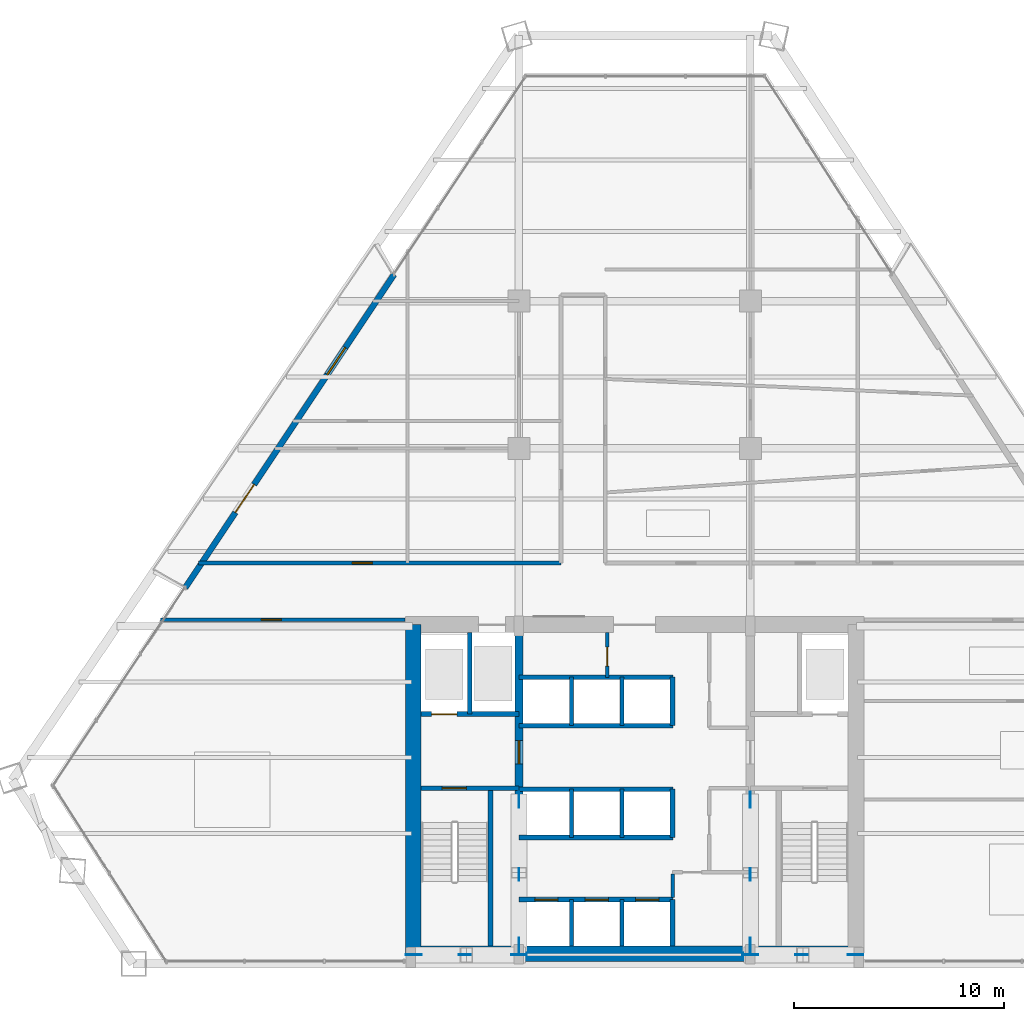
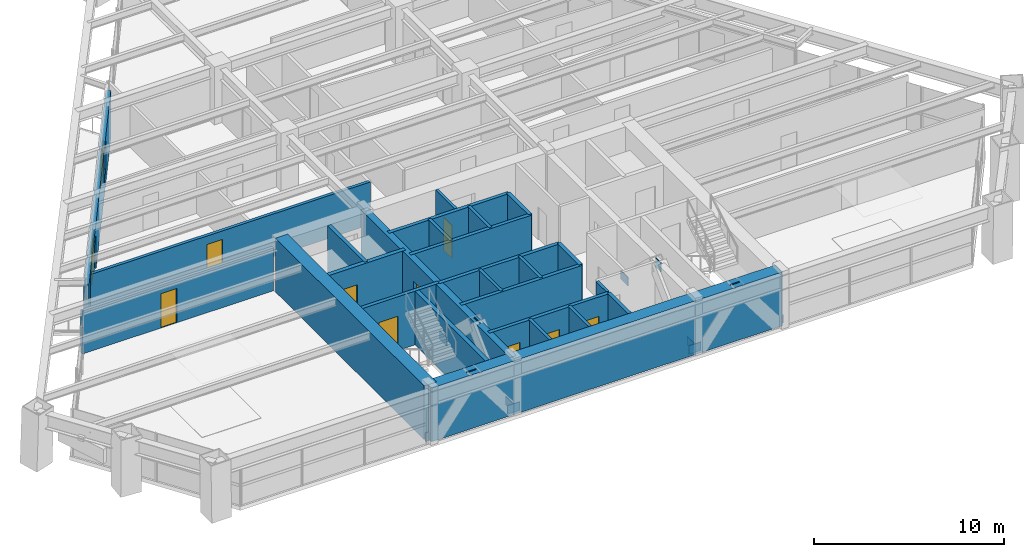
# One storey, part 10 of 15: 26 walls, 12 plates, 10 doors, 1 window, 11 openings.
"""IFC4 building model written with IfcOpenShell, lengths in metres."""

from ifc_helpers import new_model, si_unit, direction, frame, frame_2d, origin, origin_2d, place, context, subcontext, project, spatial, rectangle, extrude, source, transform, mapped, material, layer, layer_set, type_object, type_shapes, element, fill, save


model = new_model("IFC4")

# Units and contexts
model_context = context("Model", 3, precision=1e-05, world=origin(), true_north=direction((0.0, 1.0)))
body_context = subcontext(model_context, "Body", "Model", "MODEL_VIEW")
ifc_project = project(units=[si_unit("LENGTHUNIT", "METRE"), si_unit("AREAUNIT", "SQUARE_METRE"), si_unit("VOLUMEUNIT", "CUBIC_METRE"), si_unit("PLANEANGLEUNIT", "RADIAN"), si_unit("MASSUNIT", "GRAM", prefix="KILO")], contexts=[model_context])

# Site, building, storey
site_placement = place(None, origin())
site = spatial("IfcSite", under=ifc_project, at=site_placement, CompositionType="ELEMENT")
building_placement = place(site_placement, origin())
building = spatial("IfcBuilding", under=site, at=building_placement, Name="Varnakhor Terracotta Tower", CompositionType="ELEMENT")
storey_placement = place(building_placement, frame((0.0, 0.0, 109.89990234375)))
storey = spatial("IfcBuildingStorey", under=building, at=storey_placement, Name="L27", CompositionType="ELEMENT", Elevation=109.89990234375)

# Plates
ifc_material_1 = material(Name="Steel S460", Category="steel")
ifc_layer_1 = layer(ifc_material_1, 0.050048828125, Name="Steel S460")
ifc_layer_set_1 = layer_set([ifc_layer_1], Name="Steel S460")
plate_type = type_object("IfcPlateType", Name="PLT-GUSSET-50", PredefinedType="USERDEFINED", material=ifc_layer_set_1)
shared_shape_1 = source(origin(), body_context, "Body", "SweptSolid", [
    extrude(rectangle(XDim=0.75, YDim=0.0400390625, at=origin_2d()), origin(), (0.0, 0.0, 1.0), 0.550048828125),
])
type_shapes(plate_type, [shared_shape_1])
for number, where, z_axis, x_axis, name in (
    (1, (-10.5, 0.419921875, -0.0947265625), (0.0, 0.0, 1.0), (1.0, 0.0, 0.0), "L27 Core Brace Embed Plate CSWA"),
    (2, (-5.5, 0.419921875, -0.0947265625), (0.0, 0.0, 1.0), (1.0, 0.0, 0.0), "L27 Core Brace Embed Plate CSWB"),
    (3, (5.5, 0.419921875, -0.0947265625), (0.0, 0.0, 1.0), (1.0, 0.0, 0.0), "L27 Core Brace Embed Plate CSEA"),
    (4, (10.5, 0.419921875, -0.0947265625), (0.0, 0.0, 1.0), (1.0, 0.0, 0.0), "L27 Core Brace Embed Plate CSEB"),
    (5, (-5.5, 0.85009765625, -0.0947265625), (0.0, 0.0, 1.0), (0.0, 1.0, 0.0), "L27 Core Brace Embed Plate CWWA"),
    (6, (-5.5, 7.800048828125, -0.0947265625), (0.0, 0.0, 1.0), (0.0, 1.0, 0.0), "L27 Core Brace Embed Plate CWWB"),
    (7, (5.5, 0.85009765625, -0.0947265625), (0.0, 0.0, 1.0), (0.0, 1.0, 0.0), "L27 Core Brace Embed Plate CWEA"),
    (8, (5.5, 7.800048828125, -0.0947265625), (0.0, 0.0, 1.0), (0.0, 1.0, 0.0), "L27 Core Brace Embed Plate CWEB"),
):
    element("IfcPlate", number, at=place(storey_placement, frame(where, z_axis=z_axis, x_axis=x_axis)), inside=storey, type_object=plate_type, Name=name, ObjectType="GUSSET PLATE", PredefinedType="USERDEFINED", context=body_context, shape_type="MappedRepresentation", body=[
        mapped(shared_shape_1, transform((0.0, 0.0, 0.0), scale=1.0)),
    ])
shared_shape_2 = source(origin(), body_context, "Body", "SweptSolid", [
    extrude(rectangle(XDim=0.580078125, YDim=0.0400390625, at=origin_2d()), origin(), (0.0, 0.0, 1.0), 0.580078125),
])
for number, where, z_axis, x_axis, name in (
    (9, (-8.072509765625, 0.419921875, 2.914306640625), (0.0, 0.0, 1.0), (1.0, 0.0, 0.0), "L27 Brace End Connection Plate 104"),
    (10, (7.927490234375, 0.419921875, 2.914306640625), (0.0, 0.0, 1.0), (1.0, 0.0, 0.0), "L27 Brace End Connection Plate 105"),
    (11, (-5.5, 4.238037109375, 2.927490234375), (0.0, 0.0, 1.0), (0.0, 1.0, 0.0), "L27 Brace End Connection Plate 106"),
    (12, (5.5, 4.238037109375, 2.927490234375), (0.0, 0.0, 1.0), (0.0, 1.0, 0.0), "L27 Brace End Connection Plate 107"),
):
    element("IfcPlate", number, at=place(storey_placement, frame(where, z_axis=z_axis, x_axis=x_axis)), inside=storey, type_object=plate_type, Name=name, ObjectType="GUSSET PLATE", PredefinedType="USERDEFINED", context=body_context, shape_type="MappedRepresentation", body=[
        mapped(shared_shape_2, transform((0.0, 0.0, 0.0), scale=1.0)),
    ])

# Walls
ifc_material_2 = material(Name="Concrete C60/75", Category="concrete")
ifc_layer_2 = layer(ifc_material_2, 0.75, Name="Concrete C60/75")
ifc_layer_set_2 = layer_set([ifc_layer_2], Name="Concrete C60/75")
wall_type_1 = type_object("IfcWallType", Name="WAL-CORE-750", PredefinedType="SHEAR", material=ifc_layer_set_2)
wall_1_placement = place(storey_placement, frame((-10.64990234375, 0.47509765625, 0.0), z_axis=(0.0, 0.0, 1.0), x_axis=(1.0, 0.0, 0.0)))
element("IfcWall", 13, at=wall_1_placement, inside=storey, type_object=wall_type_1, Name="L27 South Core Shear Wall", PredefinedType="SHEAR", context=body_context, shape_type="SweptSolid", body=[
    extrude(rectangle(XDim=21.2998046875, YDim=0.75, at=frame_2d((10.64990234375, 0.0))), origin(), (0.0, 0.0, 1.0), 3.4501953125),
])
wall_2_placement = place(storey_placement, frame((-10.52490234375, 0.47509765625, 0.0), z_axis=(0.0, 0.0, 1.0), x_axis=(0.0, 1.0, 0.0)))
element("IfcWall", 14, at=wall_2_placement, inside=storey, type_object=wall_type_1, Name="L27 West Core Shear Wall", PredefinedType="SHEAR", context=body_context, shape_type="SweptSolid", body=[
    extrude(rectangle(XDim=15.64990234375, YDim=0.75, at=frame_2d((7.824951171875, 0.0))), origin(), (0.0, 0.0, 1.0), 3.4501953125),
])

# Wall, opening, door
ifc_material_3 = material(Name="Concrete C50/60", Category="concrete")
ifc_layer_3 = layer(ifc_material_3, 0.39990234375, Name="Concrete C50/60")
ifc_layer_set_3 = layer_set([ifc_layer_3], Name="Concrete C50/60")
wall_type_2 = type_object("IfcWallType", Name="WAL-CORE-WEB-400", PredefinedType="SHEAR", material=ifc_layer_set_3)
wall_3_placement = place(storey_placement, frame((-5.5, 0.47509765625, 0.0), z_axis=(0.0, 0.0, 1.0), x_axis=(0.0, 1.0, 0.0)))
wall_3 = element("IfcWall", 15, at=wall_3_placement, inside=storey, type_object=wall_type_2, Name="L27 West Core Web Shear Wall", PredefinedType="SHEAR", context=body_context, shape_type="SweptSolid", body=[
    extrude(rectangle(XDim=15.64990234375, YDim=0.39990234375, at=frame_2d((7.824951171875, 0.0))), origin(), (0.0, 0.0, 1.0), 3.4501953125),
])
opening_1_placement = place(wall_3_placement, frame((9.02490234375, 0.0, 0.0)))
opening_1 = element("IfcOpeningElement", 16, at=opening_1_placement, cuts=wall_3, Name="Opening DR-25", PredefinedType="OPENING", context=body_context, shape_type="SweptSolid", body=[
    extrude(rectangle(XDim=1.10009765625, YDim=2.199951171875, at=frame_2d((0.550048828125, 1.10009765625))), frame((0.0, 0.2099609375, 0.0), z_axis=(0.0, -1.0, 0.0), x_axis=(1.0, 0.0, 0.0)), (0.0, 0.0, 1.0), 0.419921875),
])
ifc_material_4 = material(Name="Firefighting Lobby Self-Closing Fire Door", Category="steel")
door_type_1 = type_object("IfcDoorType", Name="DR-FFL-1100X2200", OperationType="NOTDEFINED", PredefinedType="DOOR", material=ifc_material_4)
shared_shape_3 = source(origin(), body_context, "Body", "SweptSolid", [
    extrude(rectangle(XDim=1.10009765625, YDim=2.199951171875, at=frame_2d((0.550048828125, 1.10009765625))), frame((0.0, 0.02490234375, 0.0), z_axis=(0.0, -1.0, 0.0), x_axis=(1.0, 0.0, 0.0)), (0.0, 0.0, 1.0), 0.050048828125),
])
type_shapes(door_type_1, [shared_shape_3])
door_1_placement = place(opening_1_placement, origin())
door_1 = element("IfcDoor", 17, at=door_1_placement, inside=storey, type_object=door_type_1, Name="L27 West Firefighting Lobby Door", OperationType="SINGLE_SWING_LEFT", OverallHeight=2.199951171875, OverallWidth=1.10009765625, PredefinedType="DOOR", context=body_context, shape_type="MappedRepresentation", body=[
    mapped(shared_shape_3, transform((0.0, 0.0, 0.0), scale=1.0)),
])
fill(opening_1, door_1)

ifc_material_5 = material(Name="Fire-Rated Gypsum Stud Partition", Category="gypsum")
ifc_layer_4 = layer(ifc_material_5, 0.18505859375, Name="Fire-Rated Gypsum Stud Partition")
ifc_layer_set_4 = layer_set([ifc_layer_4], Name="Fire-Rated Gypsum Stud Partition")
wall_type_3 = type_object("IfcWallType", Name="WAL-CORR-185", PredefinedType="PARTITIONING", material=ifc_layer_set_4)
wall_4_placement = place(storey_placement, frame((-22.538330078125, 16.35009765625, 0.0), z_axis=(0.0, 0.0, 1.0), x_axis=(1.0, 0.0, 0.0)))
wall_4 = element("IfcWall", 18, at=wall_4_placement, inside=storey, type_object=wall_type_3, Name="L27 South West Corridor Wall", PredefinedType="PARTITIONING", context=body_context, shape_type="SweptSolid", body=[
    extrude(rectangle(XDim=11.618408203125, YDim=0.18505859375, at=frame_2d((5.80908203125, 0.0))), origin(), (0.0, 0.0, 1.0), 2.7470703125),
])
opening_2_placement = place(wall_4_placement, frame((4.787109375, 0.0, 0.0)))
opening_2 = element("IfcOpeningElement", 19, at=opening_2_placement, cuts=wall_4, Name="Opening DR-94", PredefinedType="OPENING", context=body_context, shape_type="SweptSolid", body=[
    extrude(rectangle(XDim=0.949951171875, YDim=2.199951171875, at=frame_2d((0.47509765625, 1.10009765625))), frame((0.0, 0.1025390625, 0.0), z_axis=(0.0, -1.0, 0.0), x_axis=(1.0, 0.0, 0.0)), (0.0, 0.0, 1.0), 0.205078125),
])
ifc_material_6 = material(Name="Acoustic Glazed-Vision Timber Office Door", Category="wood")
door_type_2 = type_object("IfcDoorType", Name="DR-OFF-950X2200", OperationType="NOTDEFINED", PredefinedType="DOOR", material=ifc_material_6)
shared_shape_4 = source(origin(), body_context, "Body", "SweptSolid", [
    extrude(rectangle(XDim=0.949951171875, YDim=2.199951171875, at=frame_2d((0.47509765625, 1.10009765625))), frame((0.0, 0.02490234375, 0.0), z_axis=(0.0, -1.0, 0.0), x_axis=(1.0, 0.0, 0.0)), (0.0, 0.0, 1.0), 0.050048828125),
])
type_shapes(door_type_2, [shared_shape_4])
door_2_placement = place(opening_2_placement, origin())
door_2 = element("IfcDoor", 20, at=door_2_placement, inside=storey, type_object=door_type_2, Name="L27 SW Suite Door", OperationType="SINGLE_SWING_RIGHT", OverallHeight=2.199951171875, OverallWidth=0.949951171875, PredefinedType="DOOR", context=body_context, shape_type="MappedRepresentation", body=[
    mapped(shared_shape_4, transform((0.0, 0.0, 0.0), scale=1.0)),
])
fill(opening_2, door_2)

wall_5_placement = place(storey_placement, frame((-20.73779296875, 19.050048828125, 0.0), z_axis=(0.0, 0.0, 1.0), x_axis=(1.0, 0.0, 0.0)))
wall_5 = element("IfcWall", 21, at=wall_5_placement, inside=storey, type_object=wall_type_3, Name="L27 Corridor North West Wall", PredefinedType="PARTITIONING", context=body_context, shape_type="SweptSolid", body=[
    extrude(rectangle(XDim=17.23779296875, YDim=0.18505859375, at=frame_2d((8.618896484375, 0.0))), origin(), (0.0, 0.0, 1.0), 2.7470703125),
])
opening_3_placement = place(wall_5_placement, frame((7.316162109375, 0.0, 0.0)))
opening_3 = element("IfcOpeningElement", 22, at=opening_3_placement, cuts=wall_5, Name="Opening DR-94", PredefinedType="OPENING", context=body_context, shape_type="SweptSolid", body=[
    extrude(rectangle(XDim=0.949951171875, YDim=2.199951171875, at=frame_2d((0.47509765625, 1.10009765625))), frame((0.0, 0.1025390625, 0.0), z_axis=(0.0, -1.0, 0.0), x_axis=(1.0, 0.0, 0.0)), (0.0, 0.0, 1.0), 0.205078125),
])
door_3_placement = place(opening_3_placement, origin())
door_3 = element("IfcDoor", 23, at=door_3_placement, inside=storey, type_object=door_type_2, Name="L27 West Workplace Door", OperationType="SINGLE_SWING_RIGHT", OverallHeight=2.199951171875, OverallWidth=0.949951171875, PredefinedType="DOOR", context=body_context, shape_type="MappedRepresentation", body=[
    mapped(shared_shape_4, transform((0.0, 0.0, 0.0), scale=1.0)),
])
fill(opening_3, door_3)

# Wall, openings, door, window
ifc_material_7 = material(Name="Extruded Architectural Terracotta Assembly", Category="masonry")
ifc_layer_5 = layer(ifc_material_7, 0.280029296875, Name="Extruded Architectural Terracotta Assembly")
ifc_layer_set_5 = layer_set([ifc_layer_5], Name="Extruded Architectural Terracotta Assembly")
wall_type_4 = type_object("IfcWallType", Name="WAL-EXT-TERRACOTTA-280", PredefinedType="SOLIDWALL", material=ifc_layer_set_5)
wall_6_placement = place(storey_placement, frame((-21.36279296875, 17.878662109375, 0.0), z_axis=(0.0, 0.0, 1.0), x_axis=(0.554797817256, 0.831985205378, 0.0)))
wall_6 = element("IfcWall", 24, at=wall_6_placement, inside=storey, type_object=wall_type_4, Name="L27 W Loggia Insulated Terracotta Wall", PredefinedType="SOLIDWALL", context=body_context, shape_type="SweptSolid", body=[
    extrude(rectangle(XDim=17.890380859375, YDim=0.280029296875, at=frame_2d((8.9453125, 0.0))), origin(), (0.0, 0.0, 1.0), 3.030029296875),
])
opening_4_placement = place(wall_6_placement, frame((4.293701171875, 0.0, 0.0)))
opening_4 = element("IfcOpeningElement", 25, at=opening_4_placement, cuts=wall_6, Name="Opening DR-62", PredefinedType="OPENING", context=body_context, shape_type="SweptSolid", body=[
    extrude(rectangle(XDim=1.60009765625, YDim=2.35009765625, at=frame_2d((0.800048828125, 1.175048828125))), frame((0.0, 0.14990234375, 0.0), z_axis=(0.0, -1.0, 0.0), x_axis=(1.0, 0.0, 0.0)), (0.0, 0.0, 1.0), 0.300048828125),
])
opening_5_placement = place(wall_6_placement, frame((12.165283203125, 0.0, 0.89990234375)))
opening_5 = element("IfcOpeningElement", 26, at=opening_5_placement, cuts=wall_6, Name="Opening WN-57", PredefinedType="OPENING", context=body_context, shape_type="SweptSolid", body=[
    extrude(rectangle(XDim=1.550048828125, YDim=1.85009765625, at=frame_2d((0.77490234375, 0.925048828125))), frame((0.0, 0.14990234375, 0.0), z_axis=(0.0, -1.0, 0.0), x_axis=(1.0, 0.0, 0.0)), (0.0, 0.0, 1.0), 0.300048828125),
])
ifc_material_8 = material(Name="Thermally Broken Sliding Glass Loggia Door", Category="glass")
door_type_3 = type_object("IfcDoorType", Name="DR-EXT-LOGGIA-1600X2350", OperationType="NOTDEFINED", PredefinedType="DOOR", material=ifc_material_8)
shared_shape_5 = source(origin(), body_context, "Body", "SweptSolid", [
    extrude(rectangle(XDim=1.60009765625, YDim=2.35009765625, at=frame_2d((0.800048828125, 1.175048828125))), frame((0.0, 0.02490234375, 0.0), z_axis=(0.0, -1.0, 0.0), x_axis=(1.0, 0.0, 0.0)), (0.0, 0.0, 1.0), 0.050048828125),
])
type_shapes(door_type_3, [shared_shape_5])
door_4_placement = place(opening_4_placement, origin())
door_4 = element("IfcDoor", 27, at=door_4_placement, inside=storey, type_object=door_type_3, Name="L27 W Recessed Loggia Sliding Door", OperationType="SLIDING_TO_LEFT", OverallHeight=2.35009765625, OverallWidth=1.60009765625, PredefinedType="DOOR", context=body_context, shape_type="MappedRepresentation", body=[
    mapped(shared_shape_5, transform((0.0, 0.0, 0.0), scale=1.0)),
])
fill(opening_4, door_4)
ifc_material_9 = material(Name="Solar-Control Low-E Insulated Glass Unit", Category="glass")
window_type = type_object("IfcWindowType", Name="WIN-OFF-1650X2100", PartitioningType="SINGLE_PANEL", PredefinedType="WINDOW", material=ifc_material_9)
shared_shape_6 = source(origin(), body_context, "Body", "SweptSolid", [
    extrude(rectangle(XDim=1.550048828125, YDim=1.85009765625, at=frame_2d((0.77490234375, 0.925048828125))), frame((0.0, 0.030029296875, 0.0), z_axis=(0.0, -1.0, 0.0), x_axis=(1.0, 0.0, 0.0)), (0.0, 0.0, 1.0), 0.06005859375),
])
type_shapes(window_type, [shared_shape_6])
window_placement = place(opening_5_placement, origin())
window = element("IfcWindow", 28, at=window_placement, inside=storey, type_object=window_type, Name="L27 W Facet Punched Window", OverallHeight=1.85009765625, OverallWidth=1.550048828125, PartitioningType="SINGLE_PANEL", PredefinedType="WINDOW", context=body_context, shape_type="MappedRepresentation", body=[
    mapped(shared_shape_6, transform((0.0, 0.0, 0.0), scale=1.0)),
])
fill(opening_5, window)

# Wall, opening, door
ifc_material_10 = material(Name="Concrete C40/50", Category="concrete")
ifc_layer_6 = layer(ifc_material_10, 0.219970703125, Name="Concrete C40/50")
ifc_layer_set_6 = layer_set([ifc_layer_6], Name="Concrete C40/50")
wall_type_5 = type_object("IfcWallType", Name="WAL-FFLOBBY-220", PredefinedType="SOLIDWALL", material=ifc_layer_set_6)
wall_7_placement = place(storey_placement, frame((-5.5, 8.35009765625, 0.0), z_axis=(0.0, 0.0, 1.0), x_axis=(-1.0, 0.0, 0.0)))
wall_7 = element("IfcWall", 29, at=wall_7_placement, inside=storey, type_object=wall_type_5, Name="L27 West Firefighting Lobby Stair Wall", PredefinedType="SOLIDWALL", context=body_context, shape_type="SweptSolid", body=[
    extrude(rectangle(XDim=4.64990234375, YDim=0.219970703125, at=frame_2d((2.324951171875, 0.0))), origin(), (0.0, 0.0, 1.0), 3.4501953125),
])
opening_6_placement = place(wall_7_placement, frame((2.5, 0.0, 0.0)))
opening_6 = element("IfcOpeningElement", 30, at=opening_6_placement, cuts=wall_7, Name="Opening DR-34", PredefinedType="OPENING", context=body_context, shape_type="SweptSolid", body=[
    extrude(rectangle(XDim=1.14990234375, YDim=2.199951171875, at=frame_2d((0.574951171875, 1.10009765625))), frame((0.0, 0.1201171875, 0.0), z_axis=(0.0, -1.0, 0.0), x_axis=(1.0, 0.0, 0.0)), (0.0, 0.0, 1.0), 0.239990234375),
])
ifc_material_11 = material(Name="Self-Closing Smoke-Sealed Steel Fire Door", Category="steel")
door_type_4 = type_object("IfcDoorType", Name="DR-STAIR-1150X2200", OperationType="NOTDEFINED", PredefinedType="DOOR", material=ifc_material_11)
shared_shape_7 = source(origin(), body_context, "Body", "SweptSolid", [
    extrude(rectangle(XDim=1.14990234375, YDim=2.199951171875, at=frame_2d((0.574951171875, 1.10009765625))), frame((0.0, 0.02490234375, 0.0), z_axis=(0.0, -1.0, 0.0), x_axis=(1.0, 0.0, 0.0)), (0.0, 0.0, 1.0), 0.050048828125),
])
type_shapes(door_type_4, [shared_shape_7])
door_5_placement = place(opening_6_placement, origin())
door_5 = element("IfcDoor", 31, at=door_5_placement, inside=storey, type_object=door_type_4, Name="L27 Exit Stair ST-1 Fire Door", OperationType="SINGLE_SWING_RIGHT", OverallHeight=2.199951171875, OverallWidth=1.14990234375, PredefinedType="DOOR", context=body_context, shape_type="MappedRepresentation", body=[
    mapped(shared_shape_7, transform((0.0, 0.0, 0.0), scale=1.0)),
])
fill(opening_6, door_5)

# Walls
ifc_layer_7 = layer(ifc_material_10, 0.179931640625, Name="Concrete C40/50")
ifc_layer_set_7 = layer_set([ifc_layer_7], Name="Concrete C40/50")
wall_type_6 = type_object("IfcWallType", Name="WAL-SHAFT-180", PredefinedType="SOLIDWALL", material=ifc_layer_set_7)
for number, where, z_axis, x_axis, name in (
    (32, (-3.0, 0.85009765625, 0.0), (0.0, 0.0, 1.0), (0.0, 1.0, 0.0), "L27 PL-1A Divider"),
    (33, (-0.60009765625, 0.85009765625, 0.0), (0.0, 0.0, 1.0), (0.0, 1.0, 0.0), "L27 PL-1B Divider"),
):
    element("IfcWall", number, at=place(storey_placement, frame(where, z_axis=z_axis, x_axis=x_axis)), inside=storey, type_object=wall_type_6, Name=name, PredefinedType="SOLIDWALL", context=body_context, shape_type="SweptSolid", body=[
        extrude(rectangle(XDim=2.199951171875, YDim=0.179931640625, at=frame_2d((1.10009765625, 0.0))), origin(), (0.0, 0.0, 1.0), 3.4501953125),
    ])
for number, where, z_axis, x_axis, name in (
    (34, (-3.0, 6.0, 0.0), (0.0, 0.0, 1.0), (0.0, 1.0, 0.0), "L27 PL-2A Divider"),
    (35, (-0.60009765625, 6.0, 0.0), (0.0, 0.0, 1.0), (0.0, 1.0, 0.0), "L27 PL-2B Divider"),
    (36, (-3.0, 11.320068359375, 0.0), (0.0, 0.0, 1.0), (0.0, 1.0, 0.0), "L27 PL-3A Divider"),
    (37, (-0.60009765625, 11.320068359375, 0.0), (0.0, 0.0, 1.0), (0.0, 1.0, 0.0), "L27 PL-3B Divider"),
):
    element("IfcWall", number, at=place(storey_placement, frame(where, z_axis=z_axis, x_axis=x_axis)), inside=storey, type_object=wall_type_6, Name=name, PredefinedType="SOLIDWALL", context=body_context, shape_type="SweptSolid", body=[
        extrude(rectangle(XDim=2.300048828125, YDim=0.179931640625, at=frame_2d((1.14990234375, 0.0))), origin(), (0.0, 0.0, 1.0), 3.4501953125),
    ])
ifc_layer_8 = layer(ifc_material_10, 0.219970703125, Name="Concrete C40/50")
ifc_layer_set_8 = layer_set([ifc_layer_8], Name="Concrete C40/50")
wall_type_7 = type_object("IfcWallType", Name="WAL-SHAFT-220", PredefinedType="SOLIDWALL", material=ifc_layer_set_8)
wall_8_placement = place(storey_placement, frame((-7.840087890625, 11.8701171875, 0.0), z_axis=(0.0, 0.0, 1.0), x_axis=(0.0, 1.0, 0.0)))
element("IfcWall", 38, at=wall_8_placement, inside=storey, type_object=wall_type_7, Name="L27 Lift FFL-1 and SVL-1 Divider Wall", PredefinedType="SOLIDWALL", context=body_context, shape_type="SweptSolid", body=[
    extrude(rectangle(XDim=3.8798828125, YDim=0.219970703125, at=frame_2d((1.93994140625, 0.0))), origin(), (0.0, 0.0, 1.0), 3.4501953125),
])

# Wall, openings, doors
wall_9_placement = place(storey_placement, frame((-5.5, 3.050048828125, 0.0), z_axis=(0.0, 0.0, 1.0), x_axis=(1.0, 0.0, 0.0)))
wall_9 = element("IfcWall", 39, at=wall_9_placement, inside=storey, type_object=wall_type_7, Name="L27 Bank 1 Lift Shaft Wall", PredefinedType="SOLIDWALL", context=body_context, shape_type="SweptSolid", body=[
    extrude(rectangle(XDim=7.320068359375, YDim=0.219970703125, at=frame_2d((3.66015625, 0.0))), origin(), (0.0, 0.0, 1.0), 3.4501953125),
])
opening_7_placement = place(wall_9_placement, frame((0.75, 0.0, 0.0)))
opening_7 = element("IfcOpeningElement", 40, at=opening_7_placement, cuts=wall_9, Name="Opening LD-01", PredefinedType="OPENING", context=body_context, shape_type="SweptSolid", body=[
    extrude(rectangle(XDim=1.10009765625, YDim=2.199951171875, at=frame_2d((0.550048828125, 1.10009765625))), frame((0.0, 0.1201171875, 0.0), z_axis=(0.0, -1.0, 0.0), x_axis=(1.0, 0.0, 0.0)), (0.0, 0.0, 1.0), 0.239990234375),
])
opening_8_placement = place(wall_9_placement, frame((3.14990234375, 0.0, 0.0)))
opening_8 = element("IfcOpeningElement", 41, at=opening_8_placement, cuts=wall_9, Name="Opening LD-01", PredefinedType="OPENING", context=body_context, shape_type="SweptSolid", body=[
    extrude(rectangle(XDim=1.10009765625, YDim=2.199951171875, at=frame_2d((0.550048828125, 1.10009765625))), frame((0.0, 0.1201171875, 0.0), z_axis=(0.0, -1.0, 0.0), x_axis=(1.0, 0.0, 0.0)), (0.0, 0.0, 1.0), 0.239990234375),
])
opening_9_placement = place(wall_9_placement, frame((5.550048828125, 0.0, 0.0)))
opening_9 = element("IfcOpeningElement", 42, at=opening_9_placement, cuts=wall_9, Name="Opening LD-01", PredefinedType="OPENING", context=body_context, shape_type="SweptSolid", body=[
    extrude(rectangle(XDim=1.10009765625, YDim=2.199951171875, at=frame_2d((0.550048828125, 1.10009765625))), frame((0.0, 0.1201171875, 0.0), z_axis=(0.0, -1.0, 0.0), x_axis=(1.0, 0.0, 0.0)), (0.0, 0.0, 1.0), 0.239990234375),
])
ifc_material_12 = material(Name="Brushed Stainless Steel Sliding Lift Landing Door", Category="steel")
door_type_5 = type_object("IfcDoorType", Name="LD-PASS-1100X2200", OperationType="NOTDEFINED", PredefinedType="DOOR", material=ifc_material_12)
shared_shape_8 = source(origin(), body_context, "Body", "SweptSolid", [
    extrude(rectangle(XDim=1.10009765625, YDim=2.199951171875, at=frame_2d((0.550048828125, 1.10009765625))), frame((0.0, 0.02490234375, 0.0), z_axis=(0.0, -1.0, 0.0), x_axis=(1.0, 0.0, 0.0)), (0.0, 0.0, 1.0), 0.050048828125),
])
type_shapes(door_type_5, [shared_shape_8])
door_6_placement = place(opening_7_placement, origin())
door_6 = element("IfcDoor", 43, at=door_6_placement, inside=storey, type_object=door_type_5, Name="L27 Passenger Lift PL-1A Landing Door", OperationType="SLIDING_TO_RIGHT", OverallHeight=2.199951171875, OverallWidth=1.10009765625, PredefinedType="DOOR", context=body_context, shape_type="MappedRepresentation", body=[
    mapped(shared_shape_8, transform((0.0, 0.0, 0.0), scale=1.0)),
])
fill(opening_7, door_6)
door_7_placement = place(opening_8_placement, origin())
door_7 = element("IfcDoor", 44, at=door_7_placement, inside=storey, type_object=door_type_5, Name="L27 Passenger Lift PL-1B Landing Door", OperationType="SLIDING_TO_RIGHT", OverallHeight=2.199951171875, OverallWidth=1.10009765625, PredefinedType="DOOR", context=body_context, shape_type="MappedRepresentation", body=[
    mapped(shared_shape_8, transform((0.0, 0.0, 0.0), scale=1.0)),
])
fill(opening_8, door_7)
door_8_placement = place(opening_9_placement, origin())
door_8 = element("IfcDoor", 45, at=door_8_placement, inside=storey, type_object=door_type_5, Name="L27 Passenger Lift PL-1C Landing Door", OperationType="SLIDING_TO_RIGHT", OverallHeight=2.199951171875, OverallWidth=1.10009765625, PredefinedType="DOOR", context=body_context, shape_type="MappedRepresentation", body=[
    mapped(shared_shape_8, transform((0.0, 0.0, 0.0), scale=1.0)),
])
fill(opening_9, door_8)

# Walls
wall_10_placement = place(storey_placement, frame((1.800048828125, 0.85009765625, 0.0), z_axis=(0.0, 0.0, 1.0), x_axis=(0.0, 1.0, 0.0)))
element("IfcWall", 46, at=wall_10_placement, inside=storey, type_object=wall_type_7, Name="L27 Bank 1 East Shaft Wall", PredefinedType="SOLIDWALL", context=body_context, shape_type="SweptSolid", body=[
    extrude(rectangle(XDim=2.199951171875, YDim=0.219970703125, at=frame_2d((1.10009765625, 0.0))), origin(), (0.0, 0.0, 1.0), 3.4501953125),
])
for number, where, z_axis, x_axis, name in (
    (47, (-5.5, 6.0, 0.0), (0.0, 0.0, 1.0), (1.0, 0.0, 0.0), "L27 Bank 2 South Shaft Wall"),
    (48, (-5.5, 8.300048828125, 0.0), (0.0, 0.0, 1.0), (1.0, 0.0, 0.0), "L27 Bank 2 North Shaft Wall"),
):
    element("IfcWall", number, at=place(storey_placement, frame(where, z_axis=z_axis, x_axis=x_axis)), inside=storey, type_object=wall_type_7, Name=name, PredefinedType="SOLIDWALL", context=body_context, shape_type="SweptSolid", body=[
        extrude(rectangle(XDim=7.320068359375, YDim=0.219970703125, at=frame_2d((3.66015625, 0.0))), origin(), (0.0, 0.0, 1.0), 3.4501953125),
    ])
wall_11_placement = place(storey_placement, frame((1.800048828125, 6.0, 0.0), z_axis=(0.0, 0.0, 1.0), x_axis=(0.0, 1.0, 0.0)))
element("IfcWall", 49, at=wall_11_placement, inside=storey, type_object=wall_type_7, Name="L27 Bank 2 East Shaft Wall", PredefinedType="SOLIDWALL", context=body_context, shape_type="SweptSolid", body=[
    extrude(rectangle(XDim=2.300048828125, YDim=0.219970703125, at=frame_2d((1.14990234375, 0.0))), origin(), (0.0, 0.0, 1.0), 3.4501953125),
])
for number, where, z_axis, x_axis, name in (
    (50, (-5.5, 11.320068359375, 0.0), (0.0, 0.0, 1.0), (1.0, 0.0, 0.0), "L27 Bank 3 South Shaft Wall"),
    (51, (-5.5, 13.6201171875, 0.0), (0.0, 0.0, 1.0), (1.0, 0.0, 0.0), "L27 Bank 3 North Shaft Wall"),
):
    element("IfcWall", number, at=place(storey_placement, frame(where, z_axis=z_axis, x_axis=x_axis)), inside=storey, type_object=wall_type_7, Name=name, PredefinedType="SOLIDWALL", context=body_context, shape_type="SweptSolid", body=[
        extrude(rectangle(XDim=7.320068359375, YDim=0.219970703125, at=frame_2d((3.66015625, 0.0))), origin(), (0.0, 0.0, 1.0), 3.4501953125),
    ])
wall_12_placement = place(storey_placement, frame((1.800048828125, 11.320068359375, 0.0), z_axis=(0.0, 0.0, 1.0), x_axis=(0.0, 1.0, 0.0)))
element("IfcWall", 52, at=wall_12_placement, inside=storey, type_object=wall_type_7, Name="L27 Bank 3 East Shaft Wall", PredefinedType="SOLIDWALL", context=body_context, shape_type="SweptSolid", body=[
    extrude(rectangle(XDim=2.300048828125, YDim=0.219970703125, at=frame_2d((1.14990234375, 0.0))), origin(), (0.0, 0.0, 1.0), 3.4501953125),
])
ifc_layer_9 = layer(ifc_material_10, 0.25, Name="Concrete C40/50")
ifc_layer_set_9 = layer_set([ifc_layer_9], Name="Concrete C40/50")
wall_type_8 = type_object("IfcWallType", Name="WAL-SHAFT-250", PredefinedType="SOLIDWALL", material=ifc_layer_set_9)
wall_13_placement = place(storey_placement, frame((-6.85009765625, 0.85009765625, 0.0), z_axis=(0.0, 0.0, 1.0), x_axis=(0.0, 1.0, 0.0)))
element("IfcWall", 53, at=wall_13_placement, inside=storey, type_object=wall_type_8, Name="L27 Stair ST-1 Bearing Shaft Wall", PredefinedType="SOLIDWALL", context=body_context, shape_type="SweptSolid", body=[
    extrude(rectangle(XDim=7.5, YDim=0.25, at=frame_2d((3.75, 0.0))), origin(), (0.0, 0.0, 1.0), 3.4501953125),
])

# Wall, opening, door
wall_14_placement = place(storey_placement, frame((-5.5, 11.8701171875, 0.0), z_axis=(0.0, 0.0, 1.0), x_axis=(-1.0, 0.0, 0.0)))
wall_14 = element("IfcWall", 54, at=wall_14_placement, inside=storey, type_object=wall_type_8, Name="L27 Lift FFL-1 Shaft Front Wall", PredefinedType="SOLIDWALL", context=body_context, shape_type="SweptSolid", body=[
    extrude(rectangle(XDim=4.64990234375, YDim=0.25, at=frame_2d((2.324951171875, 0.0))), origin(), (0.0, 0.0, 1.0), 3.4501953125),
])
opening_10_placement = place(wall_14_placement, frame((2.949951171875, 0.0, 0.0)))
opening_10 = element("IfcOpeningElement", 55, at=opening_10_placement, cuts=wall_14, Name="Opening LD-02", PredefinedType="OPENING", context=body_context, shape_type="SweptSolid", body=[
    extrude(rectangle(XDim=1.199951171875, YDim=2.25, at=frame_2d((0.60009765625, 1.125))), frame((0.0, 0.135009765625, 0.0), z_axis=(0.0, -1.0, 0.0), x_axis=(1.0, 0.0, 0.0)), (0.0, 0.0, 1.0), 0.27001953125),
])
ifc_material_13 = material(Name="Firefighting Stretcher Sliding Lift Landing Door", Category="steel")
door_type_6 = type_object("IfcDoorType", Name="LD-FFL-1200X2250", OperationType="NOTDEFINED", PredefinedType="DOOR", material=ifc_material_13)
shared_shape_9 = source(origin(), body_context, "Body", "SweptSolid", [
    extrude(rectangle(XDim=1.199951171875, YDim=2.25, at=frame_2d((0.60009765625, 1.125))), frame((0.0, 0.02490234375, 0.0), z_axis=(0.0, -1.0, 0.0), x_axis=(1.0, 0.0, 0.0)), (0.0, 0.0, 1.0), 0.050048828125),
])
type_shapes(door_type_6, [shared_shape_9])
door_9_placement = place(opening_10_placement, origin())
door_9 = element("IfcDoor", 56, at=door_9_placement, inside=storey, type_object=door_type_6, Name="L27 Firefighting Lift FFL-1 Landing Door", OperationType="SLIDING_TO_LEFT", OverallHeight=2.25, OverallWidth=1.199951171875, PredefinedType="DOOR", context=body_context, shape_type="MappedRepresentation", body=[
    mapped(shared_shape_9, transform((0.0, 0.0, 0.0), scale=1.0)),
])
fill(opening_10, door_9)

# Wall
ifc_material_14 = material(Name="Acoustic Fire-Rated Partition", Category="gypsum")
ifc_layer_10 = layer(ifc_material_14, 0.1650390625, Name="Acoustic Fire-Rated Partition")
ifc_layer_set_10 = layer_set([ifc_layer_10], Name="Acoustic Fire-Rated Partition")
wall_type_9 = type_object("IfcWallType", Name="WAL-TENANCY-165", PredefinedType="PARTITIONING", material=ifc_layer_set_10)
wall_15_placement = place(storey_placement, frame((1.800048828125, 3.159912109375, 0.0), z_axis=(0.0, 0.0, 1.0), x_axis=(0.0, 1.0, 0.0)))
element("IfcWall", 57, at=wall_15_placement, inside=storey, type_object=wall_type_9, Name="L27 Core South West Return Wall", PredefinedType="PARTITIONING", context=body_context, shape_type="SweptSolid", body=[
    extrude(rectangle(XDim=1.107666015625, YDim=0.1650390625, at=frame_2d((0.5537109375, 0.0))), origin(), (0.0, 0.0, 1.0), 3.442138671875),
])

# Wall, opening, door
wall_16_placement = place(storey_placement, frame((-1.300048828125, 13.60009765625, 0.0), z_axis=(0.0, 0.0, 1.0), x_axis=(0.0, 1.0, 0.0)))
wall_16 = element("IfcWall", 58, at=wall_16_placement, inside=storey, type_object=wall_type_9, Name="L27 Male Restroom Wall", PredefinedType="PARTITIONING", context=body_context, shape_type="SweptSolid", body=[
    extrude(rectangle(XDim=2.14990234375, YDim=0.1650390625, at=frame_2d((1.074951171875, 0.0))), origin(), (0.0, 0.0, 1.0), 3.442138671875),
])
opening_11_placement = place(wall_16_placement, frame((0.550048828125, 0.0, 0.0)))
opening_11 = element("IfcOpeningElement", 59, at=opening_11_placement, cuts=wall_16, Name="Opening DR-67", PredefinedType="OPENING", context=body_context, shape_type="SweptSolid", body=[
    extrude(rectangle(XDim=0.89990234375, YDim=2.10009765625, at=frame_2d((0.449951171875, 1.050048828125))), frame((0.0, 0.092529296875, 0.0), z_axis=(0.0, -1.0, 0.0), x_axis=(1.0, 0.0, 0.0)), (0.0, 0.0, 1.0), 0.18505859375),
])
ifc_material_15 = material(Name="Steel Service Riser Fire Door", Category="steel")
door_type_7 = type_object("IfcDoorType", Name="DR-RISER-900X2100", OperationType="NOTDEFINED", PredefinedType="DOOR", material=ifc_material_15)
shared_shape_10 = source(origin(), body_context, "Body", "SweptSolid", [
    extrude(rectangle(XDim=0.89990234375, YDim=2.10009765625, at=frame_2d((0.449951171875, 1.050048828125))), frame((0.0, 0.02490234375, 0.0), z_axis=(0.0, -1.0, 0.0), x_axis=(1.0, 0.0, 0.0)), (0.0, 0.0, 1.0), 0.050048828125),
])
type_shapes(door_type_7, [shared_shape_10])
door_10_placement = place(opening_11_placement, origin())
door_10 = element("IfcDoor", 60, at=door_10_placement, inside=storey, type_object=door_type_7, Name="L27 Male WC Door", OperationType="SINGLE_SWING_RIGHT", OverallHeight=2.10009765625, OverallWidth=0.89990234375, PredefinedType="DOOR", context=body_context, shape_type="MappedRepresentation", body=[
    mapped(shared_shape_10, transform((0.0, 0.0, 0.0), scale=1.0)),
])
fill(opening_11, door_10)

save(model, "model.ifc")
